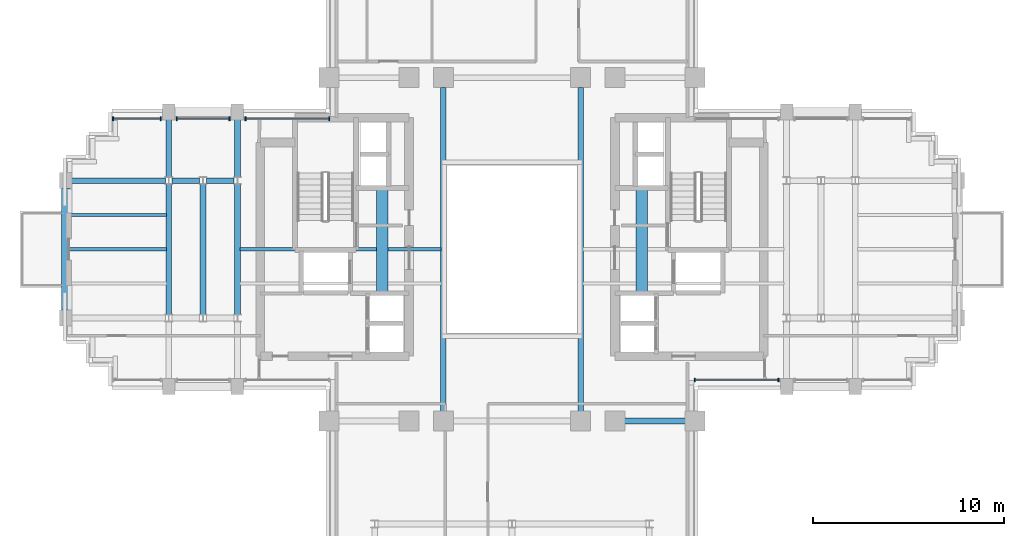
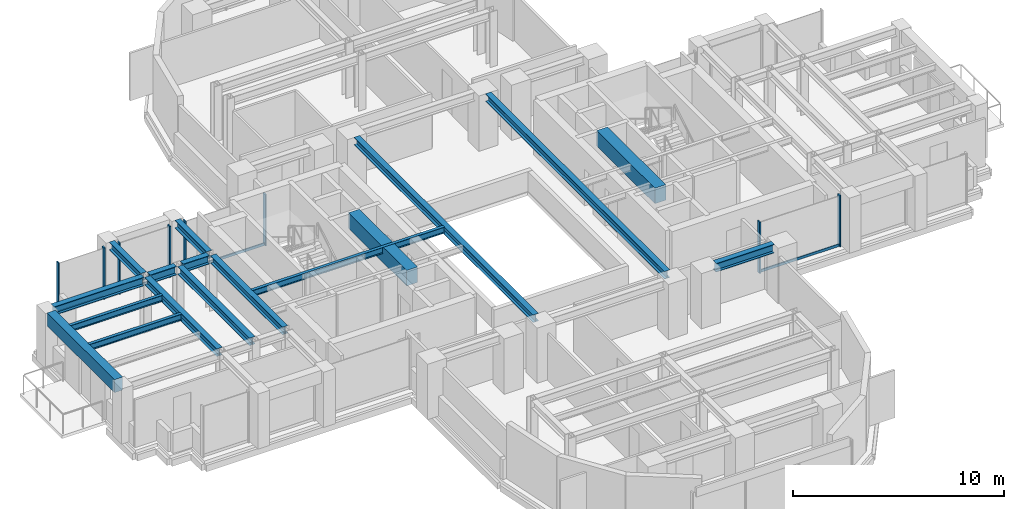
# One storey, part 4 of 13: 17 beams, 12 members, 4 elements without a shape of their own.
"""IFC4 building model written with IfcOpenShell, lengths in metres."""

from ifc_helpers import new_model, si_unit, direction, frame, origin, origin_2d, place, context, subcontext, project, spatial, rectangle, i_section, extrude, source, transform, mapped, material, material_profile, profile_set, type_object, element, aggregate, save


model = new_model("IFC4")

# Units and contexts
model_context = context("Model", 3, precision=1e-05, world=origin(), true_north=direction((0.0, 1.0)))
body_context = subcontext(model_context, "Body", "Model", "MODEL_VIEW")
ifc_project = project(units=[si_unit("LENGTHUNIT", "METRE"), si_unit("AREAUNIT", "SQUARE_METRE"), si_unit("VOLUMEUNIT", "CUBIC_METRE"), si_unit("PLANEANGLEUNIT", "RADIAN"), si_unit("MASSUNIT", "GRAM", prefix="KILO")], contexts=[model_context])

# Site, building, storey
site_placement = place(None, origin())
site = spatial("IfcSite", under=ifc_project, at=site_placement, CompositionType="ELEMENT")
building_placement = place(site_placement, origin())
building = spatial("IfcBuilding", under=site, at=building_placement, Name="Keilestroom Media Tower", CompositionType="ELEMENT")
storey_placement = place(building_placement, frame((0.0, 0.0, 104.0)))
storey = spatial("IfcBuildingStorey", under=building, at=storey_placement, Name="L27", CompositionType="ELEMENT", Elevation=104.0)

# Beams
ifc_material_1 = material(Name="Concrete C70/85", Category="concrete")
ifc_material_profile_1 = material_profile(ifc_material_1, rectangle(XDim=0.60009765625, YDim=0.89990234375, at=origin_2d()), Name="RC 600x900")
ifc_profile_set_1 = profile_set([ifc_material_profile_1], Name="Concrete C70/85")
beam_type_1 = type_object("IfcBeamType", Name="Core-Coupling-Lintel-Beam-RC-600x900", PredefinedType="LINTEL", material=ifc_profile_set_1)
shared_shape_1 = source(origin(), body_context, "Body", "SweptSolid", [
    extrude(rectangle(XDim=0.60009765625, YDim=0.89990234375, at=origin_2d()), origin(), (0.0, 0.0, 1.0), 5.52001953125),
])
for number, where, z_axis, x_axis, name in (
    (1, (-6.800048828125, -2.300048828125, 2.75), (0.0, 1.0, 0.0), (-1.0, 0.0, 0.0), "L27 Beam CLB-1 CLB-L27-W"),
    (2, (6.800048828125, -2.300048828125, 2.75), (0.0, 1.0, 0.0), (-1.0, 0.0, 0.0), "L27 Beam CLB-1 CLB-L27-E"),
):
    element("IfcBeam", number, at=place(storey_placement, frame(where, z_axis=z_axis, x_axis=x_axis)), inside=storey, type_object=beam_type_1, Name=name, PredefinedType="LINTEL", context=body_context, shape_type="MappedRepresentation", body=[
        mapped(shared_shape_1, transform((0.0, 0.0, 0.0), x_axis=(1.0, 0.0, 0.0), y_axis=(0.0, 1.0, 0.0), z_axis=(0.0, 0.0, 1.0), scale=1.0)),
    ])
ifc_material_2 = material(Name="Steel S355", Category="steel")
ifc_material_profile_2 = material_profile(ifc_material_2, i_section(OverallWidth=0.169921875, OverallDepth=0.360107421875, WebThickness=0.008056640625, FlangeThickness=0.0126953125, at=origin_2d()), Name="IPE 360")
ifc_profile_set_2 = profile_set([ifc_material_profile_2], Name="Steel S355")
beam_type_2 = type_object("IfcBeamType", Name="Secondary-Floor-Joist-IPE-360", PredefinedType="JOIST", material=ifc_profile_set_2)
shared_shape_2 = source(origin(), body_context, "Body", "SweptSolid", [
    extrude(i_section(OverallWidth=0.169921875, OverallDepth=0.360107421875, WebThickness=0.008056640625, FlangeThickness=0.0126953125, at=origin_2d()), origin(), (0.0, 0.0, 1.0), 10.5400390625),
])
beam_1_placement = place(storey_placement, frame((-14.27001953125, 0.0, 3.02001953125), z_axis=(1.0, 0.0, 0.0), x_axis=(0.0, 1.0, 0.0)))
element("IfcBeam", 3, at=beam_1_placement, inside=storey, type_object=beam_type_2, Name="L27 Beam BJ-5 JST-L27-077", PredefinedType="JOIST", context=body_context, shape_type="MappedRepresentation", body=[
    mapped(shared_shape_2, transform((0.0, 0.0, 0.0), x_axis=(1.0, 0.0, 0.0), y_axis=(0.0, 1.0, 0.0), z_axis=(0.0, 0.0, 1.0), scale=1.0)),
])
ifc_material_profile_3 = material_profile(ifc_material_2, i_section(OverallWidth=0.300048828125, OverallDepth=0.5, WebThickness=0.012451171875, FlangeThickness=0.028076171875, at=origin_2d()), Name="HEB 500")
ifc_profile_set_3 = profile_set([ifc_material_profile_3], Name="Steel S355")
beam_type_3 = type_object("IfcBeamType", Name="Primary-Structural-Girder-HEB-500", PredefinedType="BEAM", material=ifc_profile_set_3)
shared_shape_3 = source(origin(), body_context, "Body", "SweptSolid", [
    extrude(i_section(OverallWidth=0.300048828125, OverallDepth=0.5, WebThickness=0.012451171875, FlangeThickness=0.028076171875, at=origin_2d()), origin(), (0.0, 0.0, 1.0), 3.18994140625),
])
beam_2_placement = place(storey_placement, frame((5.905029296875, -9.0, 2.949951171875), z_axis=(1.0, 0.0, 0.0), x_axis=(0.0, 1.0, 0.0)))
element("IfcBeam", 4, at=beam_2_placement, inside=storey, type_object=beam_type_3, Name="L27 Beam BG-6 BM-L27-EW-011", PredefinedType="BEAM", context=body_context, shape_type="MappedRepresentation", body=[
    mapped(shared_shape_3, transform((0.0, 0.0, 0.0), x_axis=(1.0, 0.0, 0.0), y_axis=(0.0, 1.0, 0.0), z_axis=(0.0, 0.0, 1.0), scale=1.0)),
])
shared_shape_4 = source(origin(), body_context, "Body", "SweptSolid", [
    extrude(i_section(OverallWidth=0.300048828125, OverallDepth=0.5, WebThickness=0.012451171875, FlangeThickness=0.028076171875, at=origin_2d()), origin(), (0.0, 0.0, 1.0), 4.91455078125),
])
beam_3_placement = place(storey_placement, frame((-23.094970703125, 3.60009765625, 2.949951171875), z_axis=(1.0, 0.0, 0.0), x_axis=(0.0, 1.0, 0.0)))
element("IfcBeam", 5, at=beam_3_placement, inside=storey, type_object=beam_type_3, Name="L27 Beam BG-6 BM-L27-EW-020", PredefinedType="BEAM", context=body_context, shape_type="MappedRepresentation", body=[
    mapped(shared_shape_4, transform((0.0, 0.0, 0.0), x_axis=(1.0, 0.0, 0.0), y_axis=(0.0, 1.0, 0.0), z_axis=(0.0, 0.0, 1.0), scale=1.0)),
])
shared_shape_5 = source(origin(), body_context, "Body", "SweptSolid", [
    extrude(i_section(OverallWidth=0.300048828125, OverallDepth=0.5, WebThickness=0.012451171875, FlangeThickness=0.028076171875, at=origin_2d()), origin(), (0.0, 0.0, 1.0), 1.43896484375),
])
for number, where, z_axis, x_axis, name in (
    (6, (-17.819580078125, 3.60009765625, 2.949951171875), (1.0, 0.0, 0.0), (0.0, 1.0, 0.0), "L27 Beam BG-6 BM-L27-EW-021"),
    (7, (-16.01953125, 3.60009765625, 2.949951171875), (1.0, 0.0, 0.0), (0.0, 1.0, 0.0), "L27 Beam BG-6 BM-L27-EW-022"),
):
    element("IfcBeam", number, at=place(storey_placement, frame(where, z_axis=z_axis, x_axis=x_axis)), inside=storey, type_object=beam_type_3, Name=name, PredefinedType="BEAM", context=body_context, shape_type="MappedRepresentation", body=[
        mapped(shared_shape_5, transform((0.0, 0.0, 0.0), x_axis=(1.0, 0.0, 0.0), y_axis=(0.0, 1.0, 0.0), z_axis=(0.0, 0.0, 1.0), scale=1.0)),
    ])
ifc_material_3 = material(Name="Precast concrete C40/50", Category="concrete")
ifc_material_profile_4 = material_profile(ifc_material_3, rectangle(XDim=0.449951171875, YDim=0.75, at=origin_2d()), Name="PC 450x750")
ifc_profile_set_4 = profile_set([ifc_material_profile_4], Name="Precast concrete C40/50")
beam_type_4 = type_object("IfcBeamType", Name="Perimeter-Spandrel-Beam-PC-450x750", PredefinedType="SPANDREL", material=ifc_profile_set_4)
shared_shape_6 = source(origin(), body_context, "Body", "SweptSolid", [
    extrude(rectangle(XDim=0.449951171875, YDim=0.75, at=origin_2d()), origin(), (0.0, 0.0, 1.0), 6.39013671875),
])
beam_4_placement = place(storey_placement, frame((-23.39990234375, -3.195068359375, 2.824951171875), z_axis=(0.0, 1.0, 0.0), x_axis=(-1.0, 0.0, 0.0)))
element("IfcBeam", 8, at=beam_4_placement, inside=storey, type_object=beam_type_4, Name="L27 Beam SPB-1 BM-L27-NS-039", PredefinedType="SPANDREL", context=body_context, shape_type="MappedRepresentation", body=[
    mapped(shared_shape_6, transform((0.0, 0.0, 0.0), x_axis=(1.0, 0.0, 0.0), y_axis=(0.0, 1.0, 0.0), z_axis=(0.0, 0.0, 1.0), scale=1.0)),
])
shared_shape_7 = source(origin(), body_context, "Body", "SweptSolid", [
    extrude(i_section(OverallWidth=0.169921875, OverallDepth=0.360107421875, WebThickness=0.008056640625, FlangeThickness=0.0126953125, at=origin_2d()), origin(), (0.0, 0.0, 1.0), 5.065185546875),
])
for number, where, z_axis, x_axis, name in (
    (9, (-23.195068359375, 0.0, 3.02001953125), (1.0, 0.0, 0.0), (0.0, 1.0, 0.0), "L27 Beam BJ-5 JST-L27-076"),
    (10, (-23.195068359375, 1.800048828125, 3.02001953125), (1.0, 0.0, 0.0), (0.0, 1.0, 0.0), "L27 Beam BJ-5 JST-L27-081"),
):
    element("IfcBeam", number, at=place(storey_placement, frame(where, z_axis=z_axis, x_axis=x_axis)), inside=storey, type_object=beam_type_2, Name=name, PredefinedType="JOIST", context=body_context, shape_type="MappedRepresentation", body=[
        mapped(shared_shape_7, transform((0.0, 0.0, 0.0), x_axis=(1.0, 0.0, 0.0), y_axis=(0.0, 1.0, 0.0), z_axis=(0.0, 0.0, 1.0), scale=1.0)),
    ])
ifc_material_profile_5 = material_profile(ifc_material_2, i_section(OverallWidth=0.300048828125, OverallDepth=0.43994140625, WebThickness=0.011474609375, FlangeThickness=0.02099609375, at=origin_2d()), Name="HEA 450")
ifc_profile_set_5 = profile_set([ifc_material_profile_5], Name="Steel S355")
beam_type_5 = type_object("IfcBeamType", Name="Primary-Structural-Girder-HEA-450", PredefinedType="BEAM", material=ifc_profile_set_5)
shared_shape_8 = source(origin(), body_context, "Body", "SweptSolid", [
    extrude(i_section(OverallWidth=0.300048828125, OverallDepth=0.43994140625, WebThickness=0.011474609375, FlangeThickness=0.02099609375, at=origin_2d()), origin(), (0.0, 0.0, 1.0), 3.015380859375),
])
for number, where, z_axis, x_axis, name in (
    (11, (-18.0, 3.779541015625, 2.97998046875), (0.0, 1.0, 0.0), (-1.0, 0.0, 0.0), "L27 Beam BG-11 BM-L27-NS-042"),
    (12, (-14.39990234375, 3.779541015625, 2.97998046875), (0.0, 1.0, 0.0), (-1.0, 0.0, 0.0), "L27 Beam BG-11 BM-L27-NS-046"),
):
    element("IfcBeam", number, at=place(storey_placement, frame(where, z_axis=z_axis, x_axis=x_axis)), inside=storey, type_object=beam_type_5, Name=name, PredefinedType="BEAM", context=body_context, shape_type="MappedRepresentation", body=[
        mapped(shared_shape_8, transform((0.0, 0.0, 0.0), x_axis=(1.0, 0.0, 0.0), y_axis=(0.0, 1.0, 0.0), z_axis=(0.0, 0.0, 1.0), scale=1.0)),
    ])
shared_shape_9 = source(origin(), body_context, "Body", "SweptSolid", [
    extrude(i_section(OverallWidth=0.300048828125, OverallDepth=0.43994140625, WebThickness=0.011474609375, FlangeThickness=0.02099609375, at=origin_2d()), origin(), (0.0, 0.0, 1.0), 6.8408203125),
])
for number, where, z_axis, x_axis, name in (
    (13, (-18.0, -3.42041015625, 2.97998046875), (0.0, 1.0, 0.0), (-1.0, 0.0, 0.0), "L27 Beam BG-11 BM-L27-NS-041"),
    (14, (-16.199951171875, -3.42041015625, 2.97998046875), (0.0, 1.0, 0.0), (-1.0, 0.0, 0.0), "L27 Beam BG-11 BM-L27-NS-043"),
    (15, (-14.39990234375, -3.42041015625, 2.97998046875), (0.0, 1.0, 0.0), (-1.0, 0.0, 0.0), "L27 Beam BG-11 BM-L27-NS-045"),
):
    element("IfcBeam", number, at=place(storey_placement, frame(where, z_axis=z_axis, x_axis=x_axis)), inside=storey, type_object=beam_type_5, Name=name, PredefinedType="BEAM", context=body_context, shape_type="MappedRepresentation", body=[
        mapped(shared_shape_9, transform((0.0, 0.0, 0.0), x_axis=(1.0, 0.0, 0.0), y_axis=(0.0, 1.0, 0.0), z_axis=(0.0, 0.0, 1.0), scale=1.0)),
    ])
shared_shape_10 = source(origin(), body_context, "Body", "SweptSolid", [
    extrude(i_section(OverallWidth=0.300048828125, OverallDepth=0.43994140625, WebThickness=0.011474609375, FlangeThickness=0.02099609375, at=origin_2d()), origin(), (0.0, 0.0, 1.0), 16.990234375),
])
for number, where, z_axis, x_axis, name in (
    (16, (-3.60009765625, -8.4951171875, 2.97998046875), (0.0, 1.0, 0.0), (-1.0, 0.0, 0.0), "L27 Beam BG-11 BM-L27-NS-051"),
    (17, (3.60009765625, -8.4951171875, 2.97998046875), (0.0, 1.0, 0.0), (-1.0, 0.0, 0.0), "L27 Beam BG-11 BM-L27-NS-056"),
):
    element("IfcBeam", number, at=place(storey_placement, frame(where, z_axis=z_axis, x_axis=x_axis)), inside=storey, type_object=beam_type_5, Name=name, PredefinedType="BEAM", context=body_context, shape_type="MappedRepresentation", body=[
        mapped(shared_shape_10, transform((0.0, 0.0, 0.0), x_axis=(1.0, 0.0, 0.0), y_axis=(0.0, 1.0, 0.0), z_axis=(0.0, 0.0, 1.0), scale=1.0)),
    ])

# Curtain wall, members
ifc_material_4 = material(Name="Anodised Aluminium Alloy", Category="aluminium")
curtain_wall_type = type_object("IfcCurtainWallType", Name="Unitised-Curtain-Wall-CW-2", PredefinedType="NOTDEFINED", material=ifc_material_4)
curtain_wall_1_placement = place(storey_placement, origin())
curtain_wall_1 = element("IfcCurtainWall", 18, at=curtain_wall_1_placement, inside=storey, type_object=curtain_wall_type, Name="L27 Curtain Wall CW-2 CW-L27-NW-1", PredefinedType="NOTDEFINED")
ifc_material_profile_6 = material_profile(ifc_material_4, rectangle(XDim=0.070068359375, YDim=0.199951171875, at=origin_2d()), Name="ALU MULLION 70x200")
ifc_profile_set_6 = profile_set([ifc_material_profile_6], Name="Anodised Aluminium Alloy")
member_type_1 = type_object("IfcMemberType", Name="Curtain-Wall-Mullion-CW-2", PredefinedType="MULLION", material=ifc_profile_set_6)
shared_shape_11 = source(origin(), body_context, "Body", "SweptSolid", [
    extrude(rectangle(XDim=0.070068359375, YDim=0.199951171875, at=origin_2d()), origin(), (0.0, 0.0, 1.0), 2.97998046875),
])
member_1_placement = place(storey_placement, frame((-20.9150390625, 6.85009765625, 0.0), z_axis=(0.0, 0.0, 1.0), x_axis=(1.0, 0.0, 0.0)))
member_1 = element("IfcMember", 19, at=member_1_placement, type_object=member_type_1, Name="CW-2 Mullion 00", PredefinedType="MULLION", context=body_context, shape_type="MappedRepresentation", body=[
    mapped(shared_shape_11, transform((0.0, 0.0, 0.0), x_axis=(1.0, 0.0, 0.0), y_axis=(0.0, 1.0, 0.0), z_axis=(0.0, 0.0, 1.0), scale=1.0)),
])
member_2_placement = place(storey_placement, frame((-18.419921875, 6.85009765625, 0.0), z_axis=(0.0, 0.0, 1.0), x_axis=(1.0, 0.0, 0.0)))
member_2 = element("IfcMember", 20, at=member_2_placement, type_object=member_type_1, Name="CW-2 Mullion 01", PredefinedType="MULLION", context=body_context, shape_type="MappedRepresentation", body=[
    mapped(shared_shape_11, transform((0.0, 0.0, 0.0), x_axis=(1.0, 0.0, 0.0), y_axis=(0.0, 1.0, 0.0), z_axis=(0.0, 0.0, 1.0), scale=1.0)),
])

curtain_wall_2_placement = place(storey_placement, origin())
curtain_wall_2 = element("IfcCurtainWall", 21, at=curtain_wall_2_placement, inside=storey, type_object=curtain_wall_type, Name="L27 Curtain Wall CW-2 CW-L27-NW-2", PredefinedType="NOTDEFINED")
member_3_placement = place(storey_placement, frame((-17.580078125, 6.85009765625, 0.0), z_axis=(0.0, 0.0, 1.0), x_axis=(1.0, 0.0, 0.0)))
member_3 = element("IfcMember", 22, at=member_3_placement, type_object=member_type_1, Name="CW-2 Mullion 00", PredefinedType="MULLION", context=body_context, shape_type="MappedRepresentation", body=[
    mapped(shared_shape_11, transform((0.0, 0.0, 0.0), x_axis=(1.0, 0.0, 0.0), y_axis=(0.0, 1.0, 0.0), z_axis=(0.0, 0.0, 1.0), scale=1.0)),
])
member_4_placement = place(storey_placement, frame((-14.820068359375, 6.85009765625, 0.0), z_axis=(0.0, 0.0, 1.0), x_axis=(1.0, 0.0, 0.0)))
member_4 = element("IfcMember", 23, at=member_4_placement, type_object=member_type_1, Name="CW-2 Mullion 01", PredefinedType="MULLION", context=body_context, shape_type="MappedRepresentation", body=[
    mapped(shared_shape_11, transform((0.0, 0.0, 0.0), x_axis=(1.0, 0.0, 0.0), y_axis=(0.0, 1.0, 0.0), z_axis=(0.0, 0.0, 1.0), scale=1.0)),
])

curtain_wall_3_placement = place(storey_placement, origin())
curtain_wall_3 = element("IfcCurtainWall", 24, at=curtain_wall_3_placement, inside=storey, type_object=curtain_wall_type, Name="L27 Curtain Wall CW-2 CW-L27-NW-3", PredefinedType="NOTDEFINED")
member_5_placement = place(storey_placement, frame((-13.97998046875, 6.85009765625, 0.0), z_axis=(0.0, 0.0, 1.0), x_axis=(1.0, 0.0, 0.0)))
member_5 = element("IfcMember", 25, at=member_5_placement, type_object=member_type_1, Name="CW-2 Mullion 00", PredefinedType="MULLION", context=body_context, shape_type="MappedRepresentation", body=[
    mapped(shared_shape_11, transform((0.0, 0.0, 0.0), x_axis=(1.0, 0.0, 0.0), y_axis=(0.0, 1.0, 0.0), z_axis=(0.0, 0.0, 1.0), scale=1.0)),
])
member_6_placement = place(storey_placement, frame((-9.5849609375, 6.85009765625, 0.0), z_axis=(0.0, 0.0, 1.0), x_axis=(1.0, 0.0, 0.0)))
member_6 = element("IfcMember", 26, at=member_6_placement, type_object=member_type_1, Name="CW-2 Mullion 01", PredefinedType="MULLION", context=body_context, shape_type="MappedRepresentation", body=[
    mapped(shared_shape_11, transform((0.0, 0.0, 0.0), x_axis=(1.0, 0.0, 0.0), y_axis=(0.0, 1.0, 0.0), z_axis=(0.0, 0.0, 1.0), scale=1.0)),
])

curtain_wall_4_placement = place(storey_placement, origin())
curtain_wall_4 = element("IfcCurtainWall", 27, at=curtain_wall_4_placement, inside=storey, type_object=curtain_wall_type, Name="L27 Curtain Wall CW-2 CW-L27-SE-1", PredefinedType="NOTDEFINED")
member_7_placement = place(storey_placement, frame((9.5849609375, -6.85009765625, 0.0), z_axis=(0.0, 0.0, 1.0), x_axis=(1.0, 0.0, 0.0)))
member_7 = element("IfcMember", 28, at=member_7_placement, type_object=member_type_1, Name="CW-2 Mullion 00", PredefinedType="MULLION", context=body_context, shape_type="MappedRepresentation", body=[
    mapped(shared_shape_11, transform((0.0, 0.0, 0.0), x_axis=(1.0, 0.0, 0.0), y_axis=(0.0, 1.0, 0.0), z_axis=(0.0, 0.0, 1.0), scale=1.0)),
])
member_8_placement = place(storey_placement, frame((13.97998046875, -6.85009765625, 0.0), z_axis=(0.0, 0.0, 1.0), x_axis=(1.0, 0.0, 0.0)))
member_8 = element("IfcMember", 29, at=member_8_placement, type_object=member_type_1, Name="CW-2 Mullion 01", PredefinedType="MULLION", context=body_context, shape_type="MappedRepresentation", body=[
    mapped(shared_shape_11, transform((0.0, 0.0, 0.0), x_axis=(1.0, 0.0, 0.0), y_axis=(0.0, 1.0, 0.0), z_axis=(0.0, 0.0, 1.0), scale=1.0)),
])

# Member
ifc_material_profile_7 = material_profile(ifc_material_4, rectangle(XDim=0.06494140625, YDim=0.14990234375, at=origin_2d()), Name="ALU TRANSOM 65x150")
ifc_profile_set_7 = profile_set([ifc_material_profile_7], Name="Anodised Aluminium Alloy")
member_type_2 = type_object("IfcMemberType", Name="Curtain-Wall-Transom-CW-2", PredefinedType="USERDEFINED", material=ifc_profile_set_7)
shared_shape_12 = source(origin(), body_context, "Body", "SweptSolid", [
    extrude(rectangle(XDim=0.06494140625, YDim=0.14990234375, at=origin_2d()), origin(), (0.0, 0.0, 1.0), 2.42919921875),
])
member_9_placement = place(storey_placement, frame((-20.882080078125, 6.85009765625, 0.074951171875), z_axis=(1.0, 0.0, 0.0), x_axis=(0.0, 1.0, 0.0)))
member_9 = element("IfcMember", 30, at=member_9_placement, type_object=member_type_2, Name="CW-2 Transom 00.1", ObjectType="TRANSOM", PredefinedType="USERDEFINED", context=body_context, shape_type="MappedRepresentation", body=[
    mapped(shared_shape_12, transform((0.0, 0.0, 0.0), x_axis=(1.0, 0.0, 0.0), y_axis=(0.0, 1.0, 0.0), z_axis=(0.0, 0.0, 1.0), scale=1.0)),
])

aggregate(curtain_wall_1, [member_1, member_2, member_9])

shared_shape_13 = source(origin(), body_context, "Body", "SweptSolid", [
    extrude(rectangle(XDim=0.06494140625, YDim=0.14990234375, at=origin_2d()), origin(), (0.0, 0.0, 1.0), 2.694091796875),
])
member_10_placement = place(storey_placement, frame((-17.547119140625, 6.85009765625, 0.074951171875), z_axis=(1.0, 0.0, 0.0), x_axis=(0.0, 1.0, 0.0)))
member_10 = element("IfcMember", 31, at=member_10_placement, type_object=member_type_2, Name="CW-2 Transom 00.1", ObjectType="TRANSOM", PredefinedType="USERDEFINED", context=body_context, shape_type="MappedRepresentation", body=[
    mapped(shared_shape_13, transform((0.0, 0.0, 0.0), x_axis=(1.0, 0.0, 0.0), y_axis=(0.0, 1.0, 0.0), z_axis=(0.0, 0.0, 1.0), scale=1.0)),
])

aggregate(curtain_wall_2, [member_3, member_4, member_10])

shared_shape_14 = source(origin(), body_context, "Body", "SweptSolid", [
    extrude(rectangle(XDim=0.06494140625, YDim=0.14990234375, at=origin_2d()), origin(), (0.0, 0.0, 1.0), 4.3291015625),
])
member_11_placement = place(storey_placement, frame((-13.947021484375, 6.85009765625, 0.074951171875), z_axis=(1.0, 0.0, 0.0), x_axis=(0.0, 1.0, 0.0)))
member_11 = element("IfcMember", 32, at=member_11_placement, type_object=member_type_2, Name="CW-2 Transom 00.1", ObjectType="TRANSOM", PredefinedType="USERDEFINED", context=body_context, shape_type="MappedRepresentation", body=[
    mapped(shared_shape_14, transform((0.0, 0.0, 0.0), x_axis=(1.0, 0.0, 0.0), y_axis=(0.0, 1.0, 0.0), z_axis=(0.0, 0.0, 1.0), scale=1.0)),
])

aggregate(curtain_wall_3, [member_5, member_6, member_11])

member_12_placement = place(storey_placement, frame((9.617919921875, -6.85009765625, 0.074951171875), z_axis=(1.0, 0.0, 0.0), x_axis=(0.0, 1.0, 0.0)))
member_12 = element("IfcMember", 33, at=member_12_placement, type_object=member_type_2, Name="CW-2 Transom 00.1", ObjectType="TRANSOM", PredefinedType="USERDEFINED", context=body_context, shape_type="MappedRepresentation", body=[
    mapped(shared_shape_14, transform((0.0, 0.0, 0.0), x_axis=(1.0, 0.0, 0.0), y_axis=(0.0, 1.0, 0.0), z_axis=(0.0, 0.0, 1.0), scale=1.0)),
])

aggregate(curtain_wall_4, [member_7, member_8, member_12])

save(model, "model.ifc")
